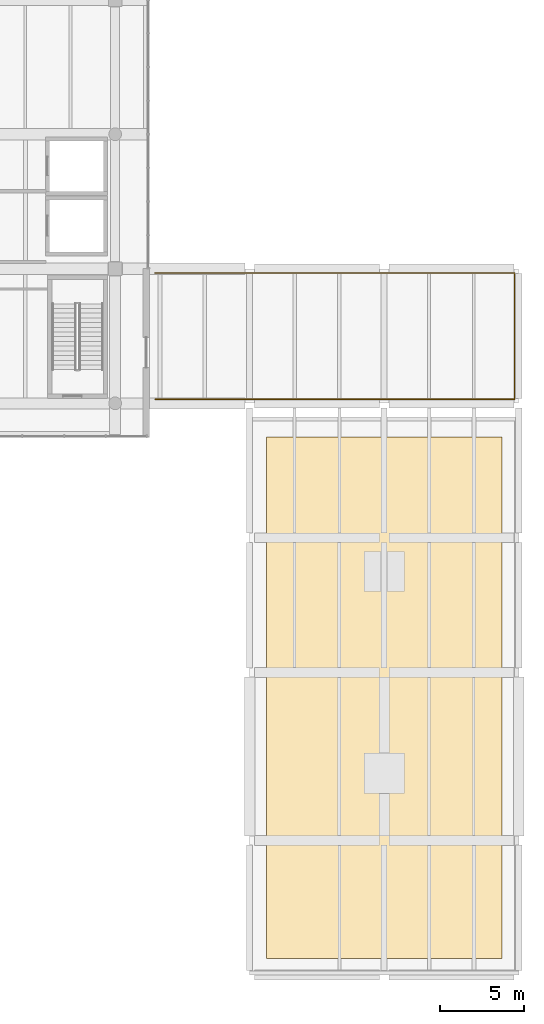
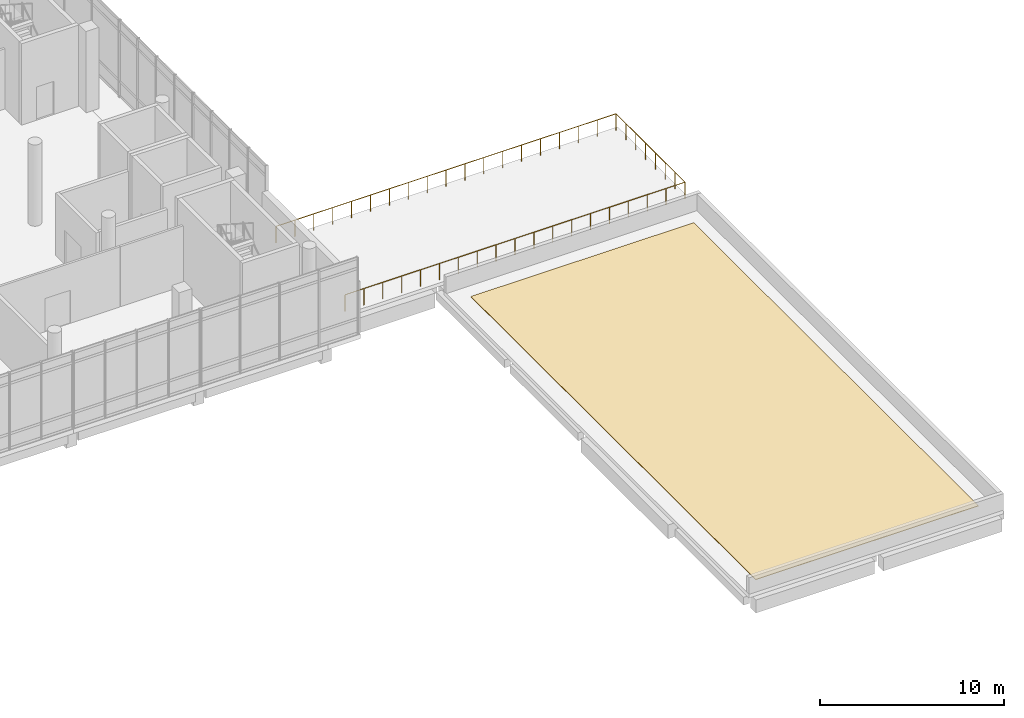
# One storey, part 19 of 20: 1 covering, 1 railing.
"""IFC4 building model written with IfcOpenShell, lengths in metres."""

from ifc_helpers import new_model, si_unit, direction, frame, origin, origin_2d, place, context, subcontext, project, spatial, polyline, circle, outline, extrude, material, layer, layer_set, type_object, element, save


model = new_model("IFC4")

# Units and contexts
model_context = context("Model", 3, precision=1e-05, world=origin(), true_north=direction((0.0, 1.0)))
body_context = subcontext(model_context, "Body", "Model", "MODEL_VIEW")
ifc_project = project(units=[si_unit("LENGTHUNIT", "METRE"), si_unit("AREAUNIT", "SQUARE_METRE"), si_unit("VOLUMEUNIT", "CUBIC_METRE"), si_unit("PLANEANGLEUNIT", "RADIAN"), si_unit("MASSUNIT", "GRAM", prefix="KILO")], contexts=[model_context])

# Site, building, storey
site_placement = place(None, origin())
site = spatial("IfcSite", under=ifc_project, at=site_placement, CompositionType="ELEMENT")
building_placement = place(site_placement, origin())
building = spatial("IfcBuilding", under=site, at=building_placement, Name="Pecanmere Concourse Central Library", CompositionType="ELEMENT")
storey_placement = place(building_placement, frame((0.0, 0.0, 24.89990234375)))
storey = spatial("IfcBuildingStorey", under=building, at=storey_placement, Name="L06", CompositionType="ELEMENT", Elevation=24.89990234375)

# Covering
ifc_material_1 = material(Name="Architectural standing-seam copper")
ifc_layer = layer(ifc_material_1, 0.034912109375, Name="COV_ROOF_COPPER")
ifc_layer_set = layer_set([ifc_layer], Name="Architectural standing-seam copper")
covering_type = type_object("IfcCoveringType", Name="COV_ROOF_COPPER", PredefinedType="ROOFING", material=ifc_layer_set)
covering_placement = place(storey_placement, origin())
element("IfcCovering", 1, at=covering_placement, inside=storey, type_object=covering_type, Name="Standing-Seam Copper Roof Membrane 05", PredefinedType="ROOFING", context=body_context, shape_type="SweptSolid", body=[
    extrude(outline(polyline([(113.0, 57.0), (127.0, 57.0), (127.0, 88.0), (113.0, 88.0), (113.0, 57.0)])), origin(), (0.0, 0.0, 1.0), 0.03515625),
])

# Railing
ifc_material_2 = material(Name="Architectural anodized bronze")
railing_type = type_object("IfcRailingType", Name="RAIL_TERR_1120", PredefinedType="BALUSTRADE", material=ifc_material_2)
railing_placement = place(storey_placement, frame((106.389892578125, 90.25, 0.0)))
element("IfcRailing", 2, at=railing_placement, inside=storey, type_object=railing_type, Name="Terrace Protective Balustrade GR-004", PredefinedType="BALUSTRADE", context=body_context, shape_type="SweptSolid", body=[
    extrude(circle(Radius=0.02392578125, at=origin_2d()), frame((0.0, 0.0, 1.09619140625), z_axis=(1.0, 0.0, 0.0), x_axis=(0.0, 1.0, 0.0)), (0.0, 0.0, 1.0), 21.360107421875),
    extrude(circle(Radius=0.02392578125, at=origin_2d()), frame((21.360107421875, 0.0, 1.09619140625), z_axis=(0.0, 1.0, 0.0), x_axis=(-1.0, 0.0, 0.0)), (0.0, 0.0, 1.0), 7.5),
    extrude(circle(Radius=0.02392578125, at=origin_2d()), frame((21.360107421875, 7.5, 1.09619140625), z_axis=(-1.0, 0.0, 0.0), x_axis=(0.0, -1.0, 0.0)), (0.0, 0.0, 1.0), 21.360107421875),
    extrude(circle(Radius=0.02099609375, at=origin_2d()), origin(), (0.0, 0.0, 1.0), 1.072021484375),
    extrude(circle(Radius=0.02099609375, at=origin_2d()), frame((1.186767578125, 0.0, 0.0)), (0.0, 0.0, 1.0), 1.072021484375),
    extrude(circle(Radius=0.02099609375, at=origin_2d()), frame((2.373291015625, 0.0, 0.0)), (0.0, 0.0, 1.0), 1.072021484375),
    extrude(circle(Radius=0.02099609375, at=origin_2d()), frame((3.56005859375, 0.0, 0.0)), (0.0, 0.0, 1.0), 1.072021484375),
    extrude(circle(Radius=0.02099609375, at=origin_2d()), frame((4.74658203125, 0.0, 0.0)), (0.0, 0.0, 1.0), 1.072021484375),
    extrude(circle(Radius=0.02099609375, at=origin_2d()), frame((5.933349609375, 0.0, 0.0)), (0.0, 0.0, 1.0), 1.072021484375),
    extrude(circle(Radius=0.02099609375, at=origin_2d()), frame((7.1201171875, 0.0, 0.0)), (0.0, 0.0, 1.0), 1.072021484375),
    extrude(circle(Radius=0.02099609375, at=origin_2d()), frame((8.306640625, 0.0, 0.0)), (0.0, 0.0, 1.0), 1.072021484375),
    extrude(circle(Radius=0.02099609375, at=origin_2d()), frame((9.493408203125, 0.0, 0.0)), (0.0, 0.0, 1.0), 1.072021484375),
    extrude(circle(Radius=0.02099609375, at=origin_2d()), frame((10.68017578125, 0.0, 0.0)), (0.0, 0.0, 1.0), 1.072021484375),
    extrude(circle(Radius=0.02099609375, at=origin_2d()), frame((11.86669921875, 0.0, 0.0)), (0.0, 0.0, 1.0), 1.072021484375),
    extrude(circle(Radius=0.02099609375, at=origin_2d()), frame((13.053466796875, 0.0, 0.0)), (0.0, 0.0, 1.0), 1.072021484375),
    extrude(circle(Radius=0.02099609375, at=origin_2d()), frame((14.239990234375, 0.0, 0.0)), (0.0, 0.0, 1.0), 1.072021484375),
    extrude(circle(Radius=0.02099609375, at=origin_2d()), frame((15.4267578125, 0.0, 0.0)), (0.0, 0.0, 1.0), 1.072021484375),
    extrude(circle(Radius=0.02099609375, at=origin_2d()), frame((16.613525390625, 0.0, 0.0)), (0.0, 0.0, 1.0), 1.072021484375),
    extrude(circle(Radius=0.02099609375, at=origin_2d()), frame((17.800048828125, 0.0, 0.0)), (0.0, 0.0, 1.0), 1.072021484375),
    extrude(circle(Radius=0.02099609375, at=origin_2d()), frame((18.98681640625, 0.0, 0.0)), (0.0, 0.0, 1.0), 1.072021484375),
    extrude(circle(Radius=0.02099609375, at=origin_2d()), frame((20.17333984375, 0.0, 0.0)), (0.0, 0.0, 1.0), 1.072021484375),
    extrude(circle(Radius=0.02099609375, at=origin_2d()), frame((21.360107421875, 0.0, 0.0)), (0.0, 0.0, 1.0), 1.072021484375),
    extrude(circle(Radius=0.02099609375, at=origin_2d()), frame((21.360107421875, 1.071533203125, 0.0)), (0.0, 0.0, 1.0), 1.072021484375),
    extrude(circle(Radius=0.02099609375, at=origin_2d()), frame((21.360107421875, 2.142822265625, 0.0)), (0.0, 0.0, 1.0), 1.072021484375),
    extrude(circle(Radius=0.02099609375, at=origin_2d()), frame((21.360107421875, 3.21435546875, 0.0)), (0.0, 0.0, 1.0), 1.072021484375),
    extrude(circle(Radius=0.02099609375, at=origin_2d()), frame((21.360107421875, 4.28564453125, 0.0)), (0.0, 0.0, 1.0), 1.072021484375),
    extrude(circle(Radius=0.02099609375, at=origin_2d()), frame((21.360107421875, 5.357177734375, 0.0)), (0.0, 0.0, 1.0), 1.072021484375),
    extrude(circle(Radius=0.02099609375, at=origin_2d()), frame((21.360107421875, 6.428466796875, 0.0)), (0.0, 0.0, 1.0), 1.072021484375),
    extrude(circle(Radius=0.02099609375, at=origin_2d()), frame((21.360107421875, 7.5, 0.0)), (0.0, 0.0, 1.0), 1.072021484375),
    extrude(circle(Radius=0.02099609375, at=origin_2d()), frame((20.17333984375, 7.5, 0.0)), (0.0, 0.0, 1.0), 1.072021484375),
    extrude(circle(Radius=0.02099609375, at=origin_2d()), frame((18.98681640625, 7.5, 0.0)), (0.0, 0.0, 1.0), 1.072021484375),
    extrude(circle(Radius=0.02099609375, at=origin_2d()), frame((17.800048828125, 7.5, 0.0)), (0.0, 0.0, 1.0), 1.072021484375),
    extrude(circle(Radius=0.02099609375, at=origin_2d()), frame((16.613525390625, 7.5, 0.0)), (0.0, 0.0, 1.0), 1.072021484375),
    extrude(circle(Radius=0.02099609375, at=origin_2d()), frame((15.4267578125, 7.5, 0.0)), (0.0, 0.0, 1.0), 1.072021484375),
    extrude(circle(Radius=0.02099609375, at=origin_2d()), frame((14.239990234375, 7.5, 0.0)), (0.0, 0.0, 1.0), 1.072021484375),
    extrude(circle(Radius=0.02099609375, at=origin_2d()), frame((13.053466796875, 7.5, 0.0)), (0.0, 0.0, 1.0), 1.072021484375),
    extrude(circle(Radius=0.02099609375, at=origin_2d()), frame((11.86669921875, 7.5, 0.0)), (0.0, 0.0, 1.0), 1.072021484375),
    extrude(circle(Radius=0.02099609375, at=origin_2d()), frame((10.68017578125, 7.5, 0.0)), (0.0, 0.0, 1.0), 1.072021484375),
    extrude(circle(Radius=0.02099609375, at=origin_2d()), frame((9.493408203125, 7.5, 0.0)), (0.0, 0.0, 1.0), 1.072021484375),
    extrude(circle(Radius=0.02099609375, at=origin_2d()), frame((8.306640625, 7.5, 0.0)), (0.0, 0.0, 1.0), 1.072021484375),
    extrude(circle(Radius=0.02099609375, at=origin_2d()), frame((7.1201171875, 7.5, 0.0)), (0.0, 0.0, 1.0), 1.072021484375),
    extrude(circle(Radius=0.02099609375, at=origin_2d()), frame((5.933349609375, 7.5, 0.0)), (0.0, 0.0, 1.0), 1.072021484375),
    extrude(circle(Radius=0.02099609375, at=origin_2d()), frame((4.74658203125, 7.5, 0.0)), (0.0, 0.0, 1.0), 1.072021484375),
    extrude(circle(Radius=0.02099609375, at=origin_2d()), frame((3.56005859375, 7.5, 0.0)), (0.0, 0.0, 1.0), 1.072021484375),
    extrude(circle(Radius=0.02099609375, at=origin_2d()), frame((2.373291015625, 7.5, 0.0)), (0.0, 0.0, 1.0), 1.072021484375),
    extrude(circle(Radius=0.02099609375, at=origin_2d()), frame((1.186767578125, 7.5, 0.0)), (0.0, 0.0, 1.0), 1.072021484375),
    extrude(circle(Radius=0.02099609375, at=origin_2d()), frame((0.0, 7.5, 0.0)), (0.0, 0.0, 1.0), 1.072021484375),
])

save(model, "model.ifc")
